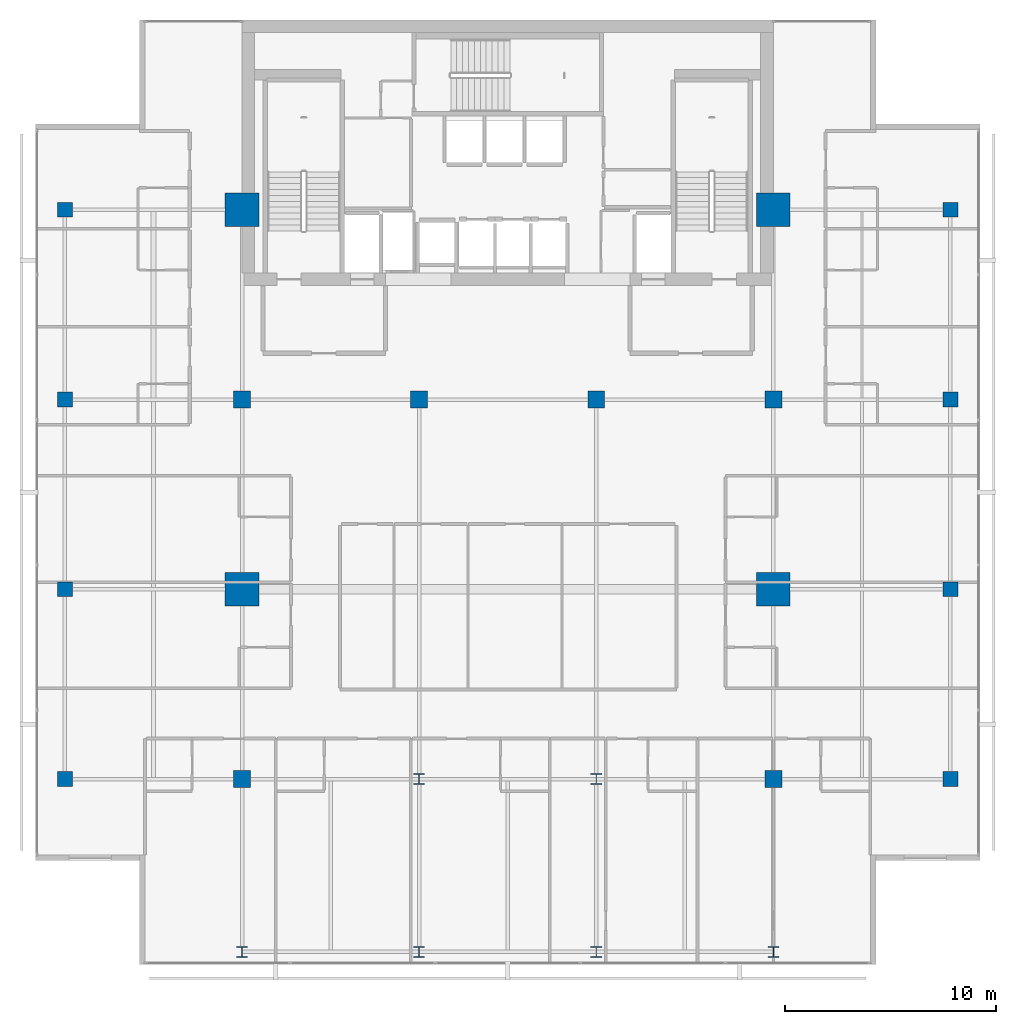
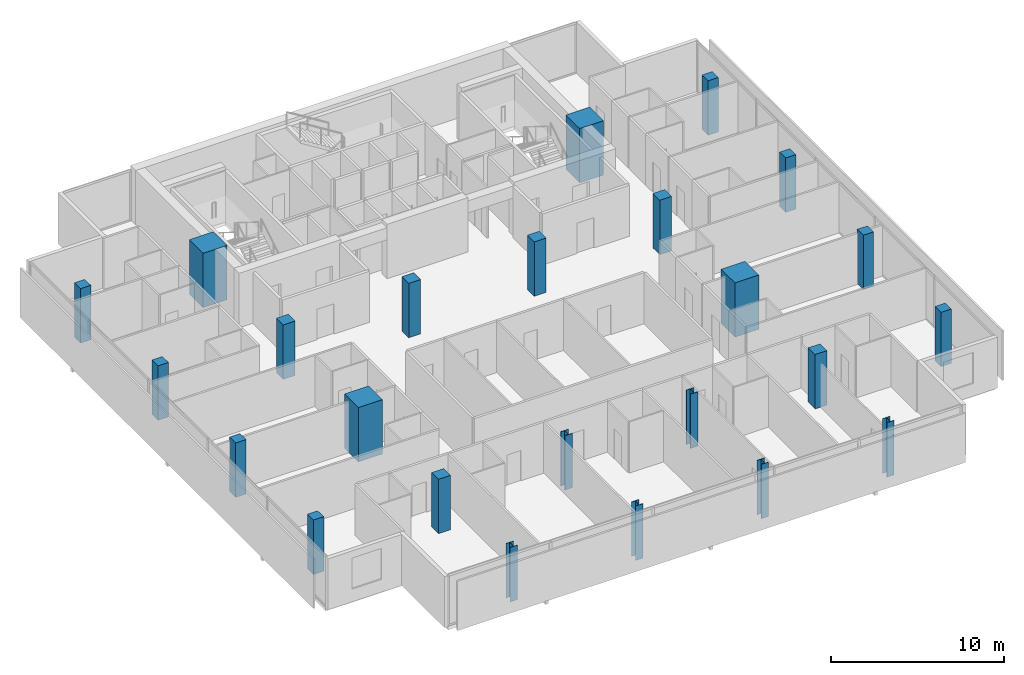
# One storey, part 1 of 26: 24 columns.
"""IFC4 building model written with IfcOpenShell, lengths in metres."""

import ifcopenshell
import ifcopenshell.guid

model = None  # the IFC model being written
_history = None  # IfcOwnerHistory: only IFC2X3 demands one
_inside = {}  # id of a spatial element -> (the spatial element, [elements in it])
_under = {}  # id of a project, library or spatial element -> (it, [spatial elements below it])
_declared = {}  # id of a project -> (the project, [libraries it declares])
_typed = {}  # id of a type object -> (the type object, [elements of that type])
_made_of = {}  # id of a material, layer set ... -> (it, [elements and type objects made of it])


def new_model(schema):
    """Start an empty IFC model of exactly this schema.

    Asked for "IFC4X3", IfcOpenShell would pick the latest addendum, in which some entities
    have other attributes; the version numbers below select the first issue.
    IFC2X3 requires an IfcOwnerHistory on every rooted entity: one is made here for all.
    """
    global model, _history
    if schema == "IFC4X3":
        model = ifcopenshell.file(schema_version=(4, 3, 0, 0))
    else:
        model = ifcopenshell.file(schema=schema)
    _inside.clear()
    _under.clear()
    _declared.clear()
    _typed.clear()
    _made_of.clear()
    _history = None
    if model.schema == "IFC2X3":
        org = make("IfcOrganization", Name="unknown")
        user = make(
            "IfcPersonAndOrganization",
            ThePerson=make("IfcPerson", FamilyName="unknown"),
            TheOrganization=org,
        )
        app = make(
            "IfcApplication",
            ApplicationDeveloper=org,
            Version="unknown",
            ApplicationFullName="unknown",
            ApplicationIdentifier="unknown",
        )
        _history = make(
            "IfcOwnerHistory",
            OwningUser=user,
            OwningApplication=app,
            ChangeAction="ADDED",
            CreationDate=0,
        )
    return model


def make(cls, **values):
    """One entity of the class cls with the attributes given. An attribute that is None is left unset."""
    return model.create_entity(
        cls, **{name: value for name, value in values.items() if value is not None}
    )


def rooted(cls, **values):
    """An entity with a GlobalId (a new one), such as an element, a storey or a relation."""
    return make(cls, GlobalId=ifcopenshell.guid.new(), OwnerHistory=_history, **values)


def si_unit(unit_type, name, prefix=None):
    """IfcSIUnit, for example si_unit("LENGTHUNIT", "METRE", prefix="MILLI")."""
    return make("IfcSIUnit", UnitType=unit_type, Prefix=prefix, Name=name)


def assignment(units):
    """IfcUnitAssignment: the units of a project."""
    return None if units is None else make("IfcUnitAssignment", Units=units)


def point(xyz):
    """IfcCartesianPoint."""
    return None if xyz is None else make("IfcCartesianPoint", Coordinates=xyz)


def direction(xyz):
    """IfcDirection."""
    return None if xyz is None else make("IfcDirection", DirectionRatios=xyz)


def frame(location, z_axis=None, x_axis=None):
    """IfcAxis2Placement3D, a coordinate frame: its origin and axes. An axis left out is left unset."""
    return make(
        "IfcAxis2Placement3D",
        Location=point(location),
        Axis=direction(z_axis),
        RefDirection=direction(x_axis),
    )


def frame_2d(location, x_axis=None):
    """IfcAxis2Placement2D, a coordinate frame in the plane: its origin and x axis."""
    return make(
        "IfcAxis2Placement2D", Location=point(location), RefDirection=direction(x_axis)
    )


def origin():
    """The frame at (0, 0, 0) with its axes left unset."""
    return frame((0.0, 0.0, 0.0))


def origin_2d():
    """The frame at (0, 0) in the plane with its x axis left unset."""
    return frame_2d((0.0, 0.0))


def place(relative_to, where):
    """IfcLocalPlacement: puts the frame where relative to a parent placement (None: the world)."""
    return make(
        "IfcLocalPlacement", PlacementRelTo=relative_to, RelativePlacement=where
    )


def context(
    kind, dimensions, precision=None, world=None, true_north=None, identifier=None
):
    """IfcGeometricRepresentationContext, for example the 3D "Model" context."""
    return make(
        "IfcGeometricRepresentationContext",
        ContextIdentifier=identifier,
        ContextType=kind,
        CoordinateSpaceDimension=dimensions,
        Precision=precision,
        WorldCoordinateSystem=world,
        TrueNorth=true_north,
    )


def subcontext(parent, identifier, kind, view, scale=None):
    """IfcGeometricRepresentationSubContext, for example "Body" below "Model"."""
    return make(
        "IfcGeometricRepresentationSubContext",
        ContextIdentifier=identifier,
        ContextType=kind,
        ParentContext=parent,
        TargetScale=scale,
        TargetView=view,
    )


def project(units=None, contexts=None):
    """IfcProject with its units and contexts."""
    return rooted(
        "IfcProject",
        Name="project",
        RepresentationContexts=contexts,
        UnitsInContext=assignment(units),
    )


def spatial(cls, under=None, at=None, **own):
    """A site, building, storey or space (cls), placed at a placement, below another one or the project."""
    s = rooted(cls, ObjectPlacement=at, **own)
    if under is not None:
        _under.setdefault(under.id(), (under, []))[1].append(s)
    return s


def profile(cls, at=None, kind="AREA", **sizes):
    """A parametric profile (cls). Its sizes go by their IFC names, for example OverallWidth=200.0."""
    return make(cls, ProfileType=kind, Position=at, **sizes)


def rectangle(**sizes):
    """IfcRectangleProfileDef."""
    return profile("IfcRectangleProfileDef", **sizes)


def i_section(**sizes):
    """IfcIShapeProfileDef."""
    return profile("IfcIShapeProfileDef", **sizes)


def extrude(swept, where, along, depth):
    """IfcExtrudedAreaSolid: the profile swept, set in the frame where, extruded along a direction by depth."""
    return make(
        "IfcExtrudedAreaSolid",
        SweptArea=swept,
        Position=where,
        ExtrudedDirection=direction(along),
        Depth=depth,
    )


def shape(context_of_items, identifier, shape_type, items):
    """IfcShapeRepresentation: the items that make up one representation, for example the "Body"."""
    return make(
        "IfcShapeRepresentation",
        ContextOfItems=context_of_items,
        RepresentationIdentifier=identifier,
        RepresentationType=shape_type,
        Items=items,
    )


def material(Name=None, Category=None):
    """IfcMaterial."""
    return make("IfcMaterial", Name=Name, Category=Category)


def material_profile(
    of_material, cross_section, Name=None, Category=None, Priority=None
):
    """IfcMaterialProfile: a cross section and its material."""
    return make(
        "IfcMaterialProfile",
        Name=Name,
        Material=of_material,
        Profile=cross_section,
        Priority=Priority,
        Category=Category,
    )


def profile_set(profiles, Name=None, composite=None):
    """IfcMaterialProfileSet."""
    return make(
        "IfcMaterialProfileSet",
        Name=Name,
        MaterialProfiles=profiles,
        CompositeProfile=composite,
    )


def made_of(thing, what):
    """Note that an element or type object is made of a material, layer set ...; save() writes the relation."""
    if what is not None:
        _made_of.setdefault(what.id(), (what, []))[1].append(thing)
    return thing


def type_object(cls, material=None, **own):
    """A type object (cls), such as IfcWallType, which elements share."""
    return made_of(rooted(cls, **own), material)


def element(
    cls,
    number,
    at=None,
    inside=None,
    cuts=None,
    type_object=None,
    material=None,
    context=None,
    identifier="Body",
    shape_type=None,
    held_by="IfcProductDefinitionShape",
    body=None,
    shapes=None,
    **own,
):
    """One element of the class cls, such as IfcWall. Its Tag is "e" and its number.

    at: its placement. inside: the storey or other place that contains it. cuts: it is an
    opening in that element (IfcRelVoidsElement). A single representation is given by context,
    identifier, shape_type and body (its items); several are given by shapes. held_by: the class
    of the entity that holds the representations. save() writes the other relations.
    """
    e = rooted(cls, Tag="e%d" % number, ObjectPlacement=at, **own)
    if body is not None:
        shapes = [shape(context, identifier, shape_type, body)]
    if shapes is not None:
        e.Representation = make(held_by, Representations=shapes)
    if inside is not None:
        _inside.setdefault(inside.id(), (inside, []))[1].append(e)
    if cuts is not None:
        rooted(
            "IfcRelVoidsElement", RelatingBuildingElement=cuts, RelatedOpeningElement=e
        )
    if type_object is not None:
        _typed.setdefault(type_object.id(), (type_object, []))[1].append(e)
    return made_of(e, material)


def aggregate(whole, parts):
    """IfcRelAggregates: a whole, such as a stair, and the parts it consists of."""
    return rooted("IfcRelAggregates", RelatingObject=whole, RelatedObjects=parts)


def save(model, path):
    """Write the relations noted so far, then the file.

    IfcRelAggregates (storeys below a building ...), IfcRelContainedInSpatialStructure (elements
    in a storey), IfcRelDefinesByType, IfcRelAssociatesMaterial and IfcRelDeclares: one each for
    every whole, place, type object, material and project.
    """
    for whole, parts in _under.values():
        aggregate(whole, parts)
    for where, things in _inside.values():
        rooted(
            "IfcRelContainedInSpatialStructure",
            RelatedElements=things,
            RelatingStructure=where,
        )
    for kind, things in _typed.values():
        rooted("IfcRelDefinesByType", RelatedObjects=things, RelatingType=kind)
    for what, things in _made_of.values():
        rooted("IfcRelAssociatesMaterial", RelatedObjects=things, RelatingMaterial=what)
    for by, libraries in _declared.values():
        rooted("IfcRelDeclares", RelatingContext=by, RelatedDefinitions=libraries)
    model.write(path)


model = new_model("IFC4")

# Units and contexts
model_context = context("Model", 3, precision=1e-05, world=origin(), true_north=direction((0.0, 1.0)))
body_context = subcontext(model_context, "Body", "Model", "MODEL_VIEW")
ifc_project = project(units=[si_unit("LENGTHUNIT", "METRE"), si_unit("AREAUNIT", "SQUARE_METRE"), si_unit("VOLUMEUNIT", "CUBIC_METRE"), si_unit("PLANEANGLEUNIT", "RADIAN"), si_unit("MASSUNIT", "GRAM", prefix="KILO")], contexts=[model_context])

# Site, building, storey
site_placement = place(None, origin())
site = spatial("IfcSite", under=ifc_project, at=site_placement, CompositionType="ELEMENT")
building_placement = place(site_placement, origin())
building = spatial("IfcBuilding", under=site, at=building_placement, Name="Maruvema Waterfront Hotel and Observation Tower", CompositionType="ELEMENT")
storey_placement = place(building_placement, frame((0.0, 0.0, 285.60009765625)))
storey = spatial("IfcBuildingStorey", under=building, at=storey_placement, Name="L70", CompositionType="ELEMENT", Elevation=285.60009765625)

# Columns
ifc_material_1 = material(Name="Concrete C70/85", Category="concrete")
ifc_material_profile_1 = material_profile(ifc_material_1, rectangle(XDim=1.60009765625, YDim=1.60009765625, at=origin_2d()), Name="MC1600x1600")
ifc_profile_set_1 = profile_set([ifc_material_profile_1], Name="Concrete C70/85")
column_type_1 = type_object("IfcColumnType", Name="Continuous Mega-Column MC1600x1600", PredefinedType="COLUMN", material=ifc_profile_set_1)
for number, where, z_axis, x_axis, name in (
    (1, (25.199951171875, 27.0, 0.0), (0.0, 0.0, 1.0), (1.0, 0.0, 0.0), "L70 Continuous Mega-Column MC-01"),
    (2, (50.39990234375, 27.0, 0.0), (0.0, 0.0, 1.0), (1.0, 0.0, 0.0), "L70 Continuous Mega-Column MC-02"),
    (3, (25.199951171875, 45.0, 0.0), (0.0, 0.0, 1.0), (1.0, 0.0, 0.0), "L70 Continuous Mega-Column MC-03"),
    (4, (50.39990234375, 45.0, 0.0), (0.0, 0.0, 1.0), (1.0, 0.0, 0.0), "L70 Continuous Mega-Column MC-04"),
):
    element("IfcColumn", number, at=place(storey_placement, frame(where, z_axis=z_axis, x_axis=x_axis)), inside=storey, type_object=column_type_1, Name=name, PredefinedType="COLUMN", context=body_context, shape_type="SweptSolid", body=[
        extrude(rectangle(XDim=1.60009765625, YDim=1.60009765625, at=origin_2d()), origin(), (0.0, 0.0, 1.0), 3.849853515625),
    ])
ifc_material_2 = material(Name="Concrete C60/75", Category="concrete")
ifc_material_profile_2 = material_profile(ifc_material_2, rectangle(XDim=0.699951171875, YDim=0.699951171875, at=origin_2d()), Name="RC700x700")
ifc_profile_set_2 = profile_set([ifc_material_profile_2], Name="Concrete C60/75")
column_type_2 = type_object("IfcColumnType", Name="Reinforced Concrete Column RC700x700", PredefinedType="COLUMN", material=ifc_profile_set_2)
for number, where, z_axis, x_axis, name in (
    (5, (16.800048828125, 18.0, 0.0), (0.0, 0.0, 1.0), (1.0, 0.0, 0.0), "L70 Column C-3Y18"),
    (6, (58.800048828125, 18.0, 0.0), (0.0, 0.0, 1.0), (1.0, 0.0, 0.0), "L70 Column C-8Y18"),
    (7, (16.800048828125, 27.0, 0.0), (0.0, 0.0, 1.0), (1.0, 0.0, 0.0), "L70 Column C-3Y27"),
    (8, (58.800048828125, 27.0, 0.0), (0.0, 0.0, 1.0), (1.0, 0.0, 0.0), "L70 Column C-8Y27"),
    (9, (16.800048828125, 36.0, 0.0), (0.0, 0.0, 1.0), (1.0, 0.0, 0.0), "L70 Column C-3Y36"),
    (10, (58.800048828125, 36.0, 0.0), (0.0, 0.0, 1.0), (1.0, 0.0, 0.0), "L70 Column C-8Y36"),
    (11, (16.800048828125, 45.0, 0.0), (0.0, 0.0, 1.0), (1.0, 0.0, 0.0), "L70 Column C-3Y45"),
    (12, (58.800048828125, 45.0, 0.0), (0.0, 0.0, 1.0), (1.0, 0.0, 0.0), "L70 Column C-8Y45"),
):
    element("IfcColumn", number, at=place(storey_placement, frame(where, z_axis=z_axis, x_axis=x_axis)), inside=storey, type_object=column_type_2, Name=name, PredefinedType="COLUMN", context=body_context, shape_type="SweptSolid", body=[
        extrude(rectangle(XDim=0.699951171875, YDim=0.699951171875, at=origin_2d()), origin(), (0.0, 0.0, 1.0), 3.849853515625),
    ])
ifc_material_3 = material(Name="Concrete C60/75", Category="concrete")
ifc_material_profile_3 = material_profile(ifc_material_3, rectangle(XDim=0.800048828125, YDim=0.800048828125, at=origin_2d()), Name="RC800x800")
ifc_profile_set_3 = profile_set([ifc_material_profile_3], Name="Concrete C60/75")
column_type_3 = type_object("IfcColumnType", Name="Reinforced Concrete Column RC800x800", PredefinedType="COLUMN", material=ifc_profile_set_3)
for number, where, z_axis, x_axis, name in (
    (13, (25.199951171875, 36.0, 0.0), (0.0, 0.0, 1.0), (1.0, 0.0, 0.0), "L70 Column C-4E"),
    (14, (33.60009765625, 36.0, 0.0), (0.0, 0.0, 1.0), (1.0, 0.0, 0.0), "L70 Column C-5E"),
    (15, (42.0, 36.0, 0.0), (0.0, 0.0, 1.0), (1.0, 0.0, 0.0), "L70 Column C-6E"),
    (16, (50.39990234375, 36.0, 0.0), (0.0, 0.0, 1.0), (1.0, 0.0, 0.0), "L70 Column C-7E"),
    (17, (25.199951171875, 18.0, 0.0), (0.0, 0.0, 1.0), (1.0, 0.0, 0.0), "L70 Column C-4C"),
    (18, (50.39990234375, 18.0, 0.0), (0.0, 0.0, 1.0), (1.0, 0.0, 0.0), "L70 Column C-7C"),
):
    element("IfcColumn", number, at=place(storey_placement, frame(where, z_axis=z_axis, x_axis=x_axis)), inside=storey, type_object=column_type_3, Name=name, PredefinedType="COLUMN", context=body_context, shape_type="SweptSolid", body=[
        extrude(rectangle(XDim=0.800048828125, YDim=0.800048828125, at=origin_2d()), origin(), (0.0, 0.0, 1.0), 3.849853515625),
    ])
ifc_material_4 = material(Name="Steel ABNT NBR 7007 AR 415 (ASTM A572 Grade 50)", Category="steel")
ifc_material_profile_4 = material_profile(ifc_material_4, i_section(OverallWidth=0.5, OverallDepth=0.5, WebThickness=0.02197265625, FlangeThickness=0.031982421875, at=origin_2d()), Name="CVS500x223")
ifc_profile_set_4 = profile_set([ifc_material_profile_4], Name="Steel ABNT NBR 7007 AR 415 (ASTM A572 Grade 50)")
column_type_4 = type_object("IfcColumnType", Name="Structural Steel Column CVS500x223", PredefinedType="COLUMN", material=ifc_profile_set_4)
for number, where, z_axis, x_axis, name in (
    (19, (33.60009765625, 18.0, 0.0), (0.0, 0.0, 1.0), (1.0, 0.0, 0.0), "L70 Column C-5C"),
    (20, (42.0, 18.0, 0.0), (0.0, 0.0, 1.0), (1.0, 0.0, 0.0), "L70 Column C-6C"),
    (21, (25.199951171875, 9.800048828125, 0.0), (0.0, 0.0, 1.0), (1.0, 0.0, 0.0), "L70 Column C-Z3S4"),
    (22, (33.60009765625, 9.800048828125, 0.0), (0.0, 0.0, 1.0), (1.0, 0.0, 0.0), "L70 Column C-Z3S5"),
    (23, (42.0, 9.800048828125, 0.0), (0.0, 0.0, 1.0), (1.0, 0.0, 0.0), "L70 Column C-Z3S6"),
    (24, (50.39990234375, 9.800048828125, 0.0), (0.0, 0.0, 1.0), (1.0, 0.0, 0.0), "L70 Column C-Z3S7"),
):
    element("IfcColumn", number, at=place(storey_placement, frame(where, z_axis=z_axis, x_axis=x_axis)), inside=storey, type_object=column_type_4, Name=name, PredefinedType="COLUMN", context=body_context, shape_type="SweptSolid", body=[
        extrude(i_section(OverallWidth=0.5, OverallDepth=0.5, WebThickness=0.02197265625, FlangeThickness=0.031982421875, at=origin_2d()), origin(), (0.0, 0.0, 1.0), 3.849853515625),
    ])

save(model, "model.ifc")
